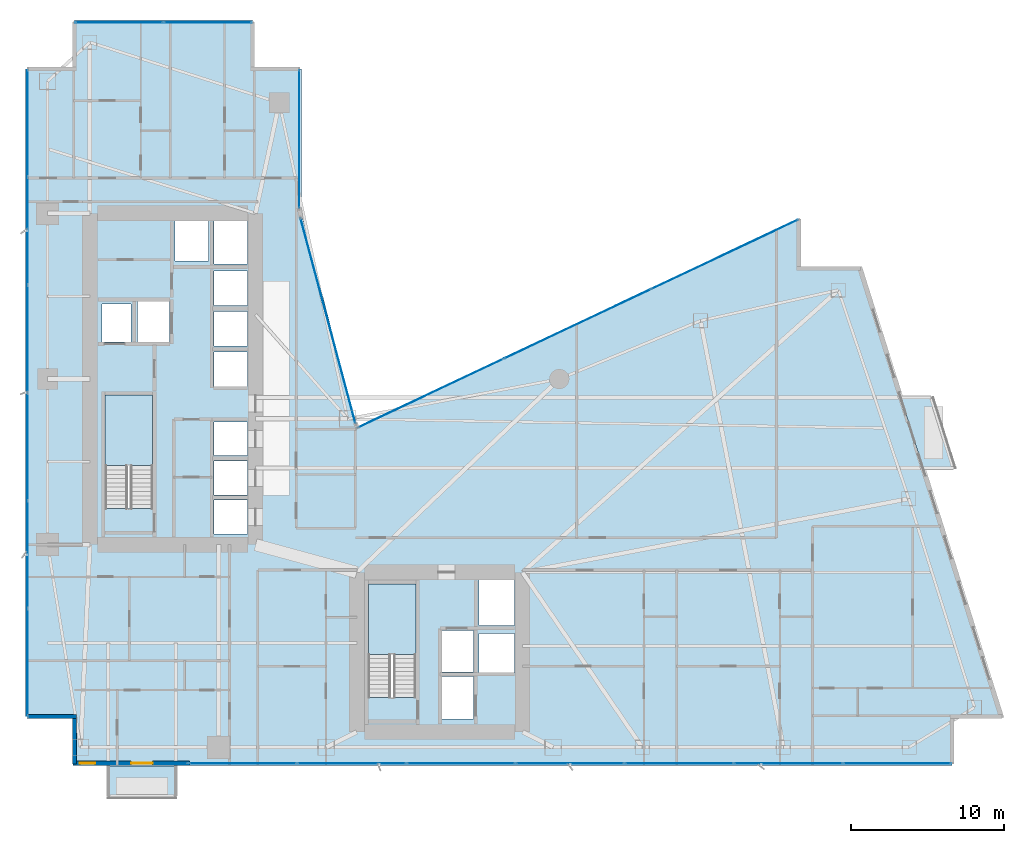
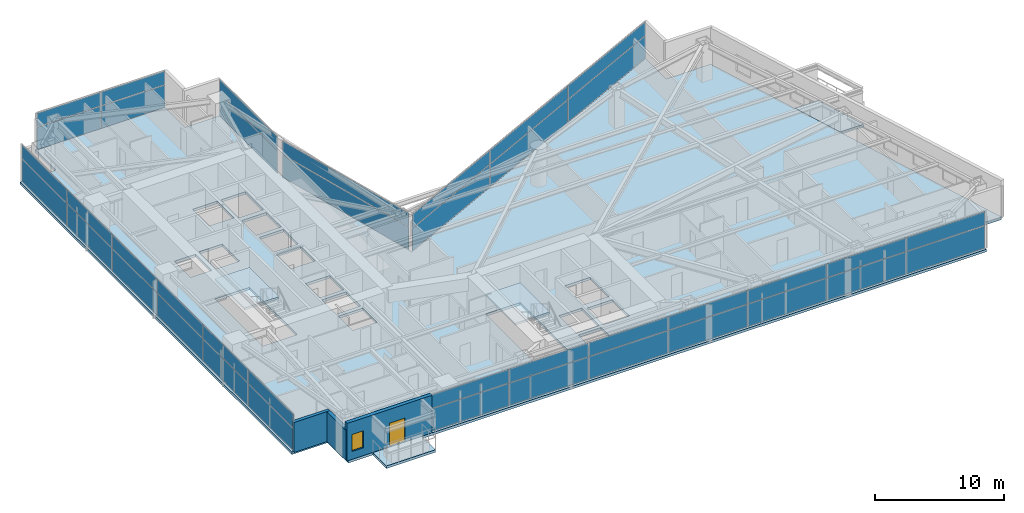
# One storey, part 21 of 29: 40 plates, 5 slabs, 3 walls, 1 door, 1 window, 2 openings, 8 elements without a shape of their own.
"""IFC4 building model written with IfcOpenShell, lengths in metres."""

from ifc_helpers import new_model, si_unit, direction, frame, frame_2d, origin, origin_2d, place, context, subcontext, project, spatial, polyline, rectangle, outline, extrude, material, layer, layer_set, type_object, element, fill, aggregate, save


model = new_model("IFC4")

# Units and contexts
model_context = context("Model", 3, precision=1e-05, world=origin(), true_north=direction((0.0, 1.0)))
body_context = subcontext(model_context, "Body", "Model", "MODEL_VIEW")
ifc_project = project(units=[si_unit("LENGTHUNIT", "METRE"), si_unit("AREAUNIT", "SQUARE_METRE"), si_unit("VOLUMEUNIT", "CUBIC_METRE"), si_unit("PLANEANGLEUNIT", "RADIAN"), si_unit("MASSUNIT", "GRAM", prefix="KILO")], contexts=[model_context])

# Site, building, storey
site_placement = place(None, origin())
site = spatial("IfcSite", under=ifc_project, at=site_placement, CompositionType="ELEMENT")
building_placement = place(site_placement, origin())
building = spatial("IfcBuilding", under=site, at=building_placement, Name="Calvorn Quay Hotel", CompositionType="ELEMENT")
storey_placement = place(building_placement, frame((0.0, 0.0, 66.0)))
storey = spatial("IfcBuildingStorey", under=building, at=storey_placement, Name="L15", CompositionType="ELEMENT", Elevation=66.0)

# Curtain wall, plates
ifc_material_1 = material(Name="Pale Anodised Aluminium and Low-E Glass", Category="aluminium")
ifc_layer_1 = layer(ifc_material_1, 0.219970703125)
ifc_layer_set_1 = layer_set([ifc_layer_1], Name="CW-SYS-Z1")
curtain_wall_type = type_object("IfcCurtainWallType", Name="CW-SYS-Z1", PredefinedType="NOTDEFINED", material=ifc_layer_set_1)
curtain_wall_1_placement = place(storey_placement, origin())
curtain_wall_1 = element("IfcCurtainWall", 1, at=curtain_wall_1_placement, inside=storey, type_object=curtain_wall_type, Name="Tower West Curtain Wall (L15)", PredefinedType="NOTDEFINED")
ifc_material_2 = material(Name="Low-E Laminated Double Glazing", Category="glass")
ifc_layer_2 = layer(ifc_material_2, 0.028076171875)
ifc_layer_set_2 = layer_set([ifc_layer_2], Name="CW-SYS-Z1-PAN")
plate_type = type_object("IfcPlateType", Name="CW-SYS-Z1-PAN", PredefinedType="CURTAIN_PANEL", material=ifc_layer_set_2)
plate_1_placement = place(storey_placement, frame((0.14990234375, 9.131591796875, 0.06005859375), z_axis=(0.0, 0.0, 1.0), x_axis=(0.0, 1.0, 0.0)))
plate_1 = element("IfcPlate", 2, at=plate_1_placement, type_object=plate_type, Name="CW-L15-W panel 1.1", PredefinedType="CURTAIN_PANEL", context=body_context, shape_type="SweptSolid", body=[
    extrude(rectangle(XDim=6.943359375, YDim=0.028076171875, at=origin_2d()), origin(), (0.0, 0.0, 1.0), 2.110107421875),
])
plate_2_placement = place(storey_placement, frame((0.14990234375, 9.131591796875, 2.22998046875), z_axis=(0.0, 0.0, 1.0), x_axis=(0.0, 1.0, 0.0)))
plate_2 = element("IfcPlate", 3, at=plate_2_placement, type_object=plate_type, Name="CW-L15-W panel 1.2", PredefinedType="CURTAIN_PANEL", context=body_context, shape_type="SweptSolid", body=[
    extrude(rectangle(XDim=6.943359375, YDim=0.028076171875, at=origin_2d()), origin(), (0.0, 0.0, 1.0), 1.27001953125),
])
plate_3_placement = place(storey_placement, frame((0.14990234375, 16.14990234375, 0.06005859375), z_axis=(0.0, 0.0, 1.0), x_axis=(0.0, 1.0, 0.0)))
plate_3 = element("IfcPlate", 4, at=plate_3_placement, type_object=plate_type, Name="CW-L15-W panel 2.1", PredefinedType="CURTAIN_PANEL", context=body_context, shape_type="SweptSolid", body=[
    extrude(rectangle(XDim=6.973388671875, YDim=0.028076171875, at=origin_2d()), origin(), (0.0, 0.0, 1.0), 2.110107421875),
])
plate_4_placement = place(storey_placement, frame((0.14990234375, 16.14990234375, 2.22998046875), z_axis=(0.0, 0.0, 1.0), x_axis=(0.0, 1.0, 0.0)))
plate_4 = element("IfcPlate", 5, at=plate_4_placement, type_object=plate_type, Name="CW-L15-W panel 2.2", PredefinedType="CURTAIN_PANEL", context=body_context, shape_type="SweptSolid", body=[
    extrude(rectangle(XDim=6.973388671875, YDim=0.028076171875, at=origin_2d()), origin(), (0.0, 0.0, 1.0), 1.27001953125),
])
plate_5_placement = place(storey_placement, frame((0.14990234375, 23.183349609375, 0.06005859375), z_axis=(0.0, 0.0, 1.0), x_axis=(0.0, 1.0, 0.0)))
plate_5 = element("IfcPlate", 6, at=plate_5_placement, type_object=plate_type, Name="CW-L15-W panel 3.1", PredefinedType="CURTAIN_PANEL", context=body_context, shape_type="SweptSolid", body=[
    extrude(rectangle(XDim=6.973388671875, YDim=0.028076171875, at=origin_2d()), origin(), (0.0, 0.0, 1.0), 2.110107421875),
])
plate_6_placement = place(storey_placement, frame((0.14990234375, 23.183349609375, 2.22998046875), z_axis=(0.0, 0.0, 1.0), x_axis=(0.0, 1.0, 0.0)))
plate_6 = element("IfcPlate", 7, at=plate_6_placement, type_object=plate_type, Name="CW-L15-W panel 3.2", PredefinedType="CURTAIN_PANEL", context=body_context, shape_type="SweptSolid", body=[
    extrude(rectangle(XDim=6.973388671875, YDim=0.028076171875, at=origin_2d()), origin(), (0.0, 0.0, 1.0), 1.27001953125),
])
plate_7_placement = place(storey_placement, frame((0.14990234375, 30.216552734375, 0.06005859375), z_axis=(0.0, 0.0, 1.0), x_axis=(0.0, 1.0, 0.0)))
plate_7 = element("IfcPlate", 8, at=plate_7_placement, type_object=plate_type, Name="CW-L15-W panel 4.1", PredefinedType="CURTAIN_PANEL", context=body_context, shape_type="SweptSolid", body=[
    extrude(rectangle(XDim=6.973388671875, YDim=0.028076171875, at=origin_2d()), origin(), (0.0, 0.0, 1.0), 2.110107421875),
])
plate_8_placement = place(storey_placement, frame((0.14990234375, 30.216552734375, 2.22998046875), z_axis=(0.0, 0.0, 1.0), x_axis=(0.0, 1.0, 0.0)))
plate_8 = element("IfcPlate", 9, at=plate_8_placement, type_object=plate_type, Name="CW-L15-W panel 4.2", PredefinedType="CURTAIN_PANEL", context=body_context, shape_type="SweptSolid", body=[
    extrude(rectangle(XDim=6.973388671875, YDim=0.028076171875, at=origin_2d()), origin(), (0.0, 0.0, 1.0), 1.27001953125),
])
plate_9_placement = place(storey_placement, frame((0.14990234375, 37.25, 0.06005859375), z_axis=(0.0, 0.0, 1.0), x_axis=(0.0, 1.0, 0.0)))
plate_9 = element("IfcPlate", 10, at=plate_9_placement, type_object=plate_type, Name="CW-L15-W panel 5.1", PredefinedType="CURTAIN_PANEL", context=body_context, shape_type="SweptSolid", body=[
    extrude(rectangle(XDim=6.973388671875, YDim=0.028076171875, at=origin_2d()), origin(), (0.0, 0.0, 1.0), 2.110107421875),
])
plate_10_placement = place(storey_placement, frame((0.14990234375, 37.25, 2.22998046875), z_axis=(0.0, 0.0, 1.0), x_axis=(0.0, 1.0, 0.0)))
plate_10 = element("IfcPlate", 11, at=plate_10_placement, type_object=plate_type, Name="CW-L15-W panel 5.2", PredefinedType="CURTAIN_PANEL", context=body_context, shape_type="SweptSolid", body=[
    extrude(rectangle(XDim=6.973388671875, YDim=0.028076171875, at=origin_2d()), origin(), (0.0, 0.0, 1.0), 1.27001953125),
])
plate_11_placement = place(storey_placement, frame((0.14990234375, 44.268310546875, 0.06005859375), z_axis=(0.0, 0.0, 1.0), x_axis=(0.0, 1.0, 0.0)))
plate_11 = element("IfcPlate", 12, at=plate_11_placement, type_object=plate_type, Name="CW-L15-W panel 6.1", PredefinedType="CURTAIN_PANEL", context=body_context, shape_type="SweptSolid", body=[
    extrude(rectangle(XDim=6.943359375, YDim=0.028076171875, at=origin_2d()), origin(), (0.0, 0.0, 1.0), 2.110107421875),
])
plate_12_placement = place(storey_placement, frame((0.14990234375, 44.268310546875, 2.22998046875), z_axis=(0.0, 0.0, 1.0), x_axis=(0.0, 1.0, 0.0)))
plate_12 = element("IfcPlate", 13, at=plate_12_placement, type_object=plate_type, Name="CW-L15-W panel 6.2", PredefinedType="CURTAIN_PANEL", context=body_context, shape_type="SweptSolid", body=[
    extrude(rectangle(XDim=6.943359375, YDim=0.028076171875, at=origin_2d()), origin(), (0.0, 0.0, 1.0), 1.27001953125),
])
aggregate(curtain_wall_1, [plate_1, plate_2, plate_3, plate_4, plate_5, plate_6, plate_7, plate_8, plate_9, plate_10, plate_11, plate_12])

curtain_wall_2_placement = place(storey_placement, origin())
curtain_wall_2 = element("IfcCurtainWall", 14, at=curtain_wall_2_placement, inside=storey, type_object=curtain_wall_type, Name="Tower South Waterfront Curtain Wall (L15)", PredefinedType="NOTDEFINED")
plate_13_placement = place(storey_placement, frame((14.172119140625, 2.550048828125, 0.06005859375), z_axis=(0.0, 0.0, 1.0), x_axis=(1.0, 0.0, 0.0)))
plate_13 = element("IfcPlate", 15, at=plate_13_placement, type_object=plate_type, Name="CW-L15-S panel 1.1", PredefinedType="CURTAIN_PANEL", context=body_context, shape_type="SweptSolid", body=[
    extrude(rectangle(XDim=7.024169921875, YDim=0.028076171875, at=origin_2d()), origin(), (0.0, 0.0, 1.0), 2.110107421875),
])
plate_14_placement = place(storey_placement, frame((14.172119140625, 2.550048828125, 2.22998046875), z_axis=(0.0, 0.0, 1.0), x_axis=(1.0, 0.0, 0.0)))
plate_14 = element("IfcPlate", 16, at=plate_14_placement, type_object=plate_type, Name="CW-L15-S panel 1.2", PredefinedType="CURTAIN_PANEL", context=body_context, shape_type="SweptSolid", body=[
    extrude(rectangle(XDim=7.024169921875, YDim=0.028076171875, at=origin_2d()), origin(), (0.0, 0.0, 1.0), 1.27001953125),
])
plate_15_placement = place(storey_placement, frame((21.271484375, 2.550048828125, 0.06005859375), z_axis=(0.0, 0.0, 1.0), x_axis=(1.0, 0.0, 0.0)))
plate_15 = element("IfcPlate", 17, at=plate_15_placement, type_object=plate_type, Name="CW-L15-S panel 2.1", PredefinedType="CURTAIN_PANEL", context=body_context, shape_type="SweptSolid", body=[
    extrude(rectangle(XDim=7.05419921875, YDim=0.028076171875, at=origin_2d()), origin(), (0.0, 0.0, 1.0), 2.110107421875),
])
plate_16_placement = place(storey_placement, frame((21.271484375, 2.550048828125, 2.22998046875), z_axis=(0.0, 0.0, 1.0), x_axis=(1.0, 0.0, 0.0)))
plate_16 = element("IfcPlate", 18, at=plate_16_placement, type_object=plate_type, Name="CW-L15-S panel 2.2", PredefinedType="CURTAIN_PANEL", context=body_context, shape_type="SweptSolid", body=[
    extrude(rectangle(XDim=7.05419921875, YDim=0.028076171875, at=origin_2d()), origin(), (0.0, 0.0, 1.0), 1.27001953125),
])
plate_17_placement = place(storey_placement, frame((28.3857421875, 2.550048828125, 0.06005859375), z_axis=(0.0, 0.0, 1.0), x_axis=(1.0, 0.0, 0.0)))
plate_17 = element("IfcPlate", 19, at=plate_17_placement, type_object=plate_type, Name="CW-L15-S panel 3.1", PredefinedType="CURTAIN_PANEL", context=body_context, shape_type="SweptSolid", body=[
    extrude(rectangle(XDim=7.05419921875, YDim=0.028076171875, at=origin_2d()), origin(), (0.0, 0.0, 1.0), 2.110107421875),
])
plate_18_placement = place(storey_placement, frame((28.3857421875, 2.550048828125, 2.22998046875), z_axis=(0.0, 0.0, 1.0), x_axis=(1.0, 0.0, 0.0)))
plate_18 = element("IfcPlate", 20, at=plate_18_placement, type_object=plate_type, Name="CW-L15-S panel 3.2", PredefinedType="CURTAIN_PANEL", context=body_context, shape_type="SweptSolid", body=[
    extrude(rectangle(XDim=7.05419921875, YDim=0.028076171875, at=origin_2d()), origin(), (0.0, 0.0, 1.0), 1.27001953125),
])
plate_19_placement = place(storey_placement, frame((35.5, 2.550048828125, 0.06005859375), z_axis=(0.0, 0.0, 1.0), x_axis=(1.0, 0.0, 0.0)))
plate_19 = element("IfcPlate", 21, at=plate_19_placement, type_object=plate_type, Name="CW-L15-S panel 4.1", PredefinedType="CURTAIN_PANEL", context=body_context, shape_type="SweptSolid", body=[
    extrude(rectangle(XDim=7.05419921875, YDim=0.028076171875, at=origin_2d()), origin(), (0.0, 0.0, 1.0), 2.110107421875),
])
plate_20_placement = place(storey_placement, frame((35.5, 2.550048828125, 2.22998046875), z_axis=(0.0, 0.0, 1.0), x_axis=(1.0, 0.0, 0.0)))
plate_20 = element("IfcPlate", 22, at=plate_20_placement, type_object=plate_type, Name="CW-L15-S panel 4.2", PredefinedType="CURTAIN_PANEL", context=body_context, shape_type="SweptSolid", body=[
    extrude(rectangle(XDim=7.05419921875, YDim=0.028076171875, at=origin_2d()), origin(), (0.0, 0.0, 1.0), 1.27001953125),
])
plate_21_placement = place(storey_placement, frame((42.6142578125, 2.550048828125, 0.06005859375), z_axis=(0.0, 0.0, 1.0), x_axis=(1.0, 0.0, 0.0)))
plate_21 = element("IfcPlate", 23, at=plate_21_placement, type_object=plate_type, Name="CW-L15-S panel 5.1", PredefinedType="CURTAIN_PANEL", context=body_context, shape_type="SweptSolid", body=[
    extrude(rectangle(XDim=7.05419921875, YDim=0.028076171875, at=origin_2d()), origin(), (0.0, 0.0, 1.0), 2.110107421875),
])
plate_22_placement = place(storey_placement, frame((42.6142578125, 2.550048828125, 2.22998046875), z_axis=(0.0, 0.0, 1.0), x_axis=(1.0, 0.0, 0.0)))
plate_22 = element("IfcPlate", 24, at=plate_22_placement, type_object=plate_type, Name="CW-L15-S panel 5.2", PredefinedType="CURTAIN_PANEL", context=body_context, shape_type="SweptSolid", body=[
    extrude(rectangle(XDim=7.05419921875, YDim=0.028076171875, at=origin_2d()), origin(), (0.0, 0.0, 1.0), 1.27001953125),
])
plate_23_placement = place(storey_placement, frame((49.728515625, 2.550048828125, 0.06005859375), z_axis=(0.0, 0.0, 1.0), x_axis=(1.0, 0.0, 0.0)))
plate_23 = element("IfcPlate", 25, at=plate_23_placement, type_object=plate_type, Name="CW-L15-S panel 6.1", PredefinedType="CURTAIN_PANEL", context=body_context, shape_type="SweptSolid", body=[
    extrude(rectangle(XDim=7.05419921875, YDim=0.028076171875, at=origin_2d()), origin(), (0.0, 0.0, 1.0), 2.110107421875),
])
plate_24_placement = place(storey_placement, frame((49.728515625, 2.550048828125, 2.22998046875), z_axis=(0.0, 0.0, 1.0), x_axis=(1.0, 0.0, 0.0)))
plate_24 = element("IfcPlate", 26, at=plate_24_placement, type_object=plate_type, Name="CW-L15-S panel 6.2", PredefinedType="CURTAIN_PANEL", context=body_context, shape_type="SweptSolid", body=[
    extrude(rectangle(XDim=7.05419921875, YDim=0.028076171875, at=origin_2d()), origin(), (0.0, 0.0, 1.0), 1.27001953125),
])
plate_25_placement = place(storey_placement, frame((56.827880859375, 2.550048828125, 0.06005859375), z_axis=(0.0, 0.0, 1.0), x_axis=(1.0, 0.0, 0.0)))
plate_25 = element("IfcPlate", 27, at=plate_25_placement, type_object=plate_type, Name="CW-L15-S panel 7.1", PredefinedType="CURTAIN_PANEL", context=body_context, shape_type="SweptSolid", body=[
    extrude(rectangle(XDim=7.024169921875, YDim=0.028076171875, at=origin_2d()), origin(), (0.0, 0.0, 1.0), 2.110107421875),
])
plate_26_placement = place(storey_placement, frame((56.827880859375, 2.550048828125, 2.22998046875), z_axis=(0.0, 0.0, 1.0), x_axis=(1.0, 0.0, 0.0)))
plate_26 = element("IfcPlate", 28, at=plate_26_placement, type_object=plate_type, Name="CW-L15-S panel 7.2", PredefinedType="CURTAIN_PANEL", context=body_context, shape_type="SweptSolid", body=[
    extrude(rectangle(XDim=7.024169921875, YDim=0.028076171875, at=origin_2d()), origin(), (0.0, 0.0, 1.0), 1.27001953125),
])
aggregate(curtain_wall_2, [plate_13, plate_14, plate_15, plate_16, plate_17, plate_18, plate_19, plate_20, plate_21, plate_22, plate_23, plate_24, plate_25, plate_26])

curtain_wall_3_placement = place(storey_placement, origin())
curtain_wall_3 = element("IfcCurtainWall", 29, at=curtain_wall_3_placement, inside=storey, type_object=curtain_wall_type, Name="Inner Court Curtain Wall L15-NE1", PredefinedType="NOTDEFINED")
plate_27_placement = place(storey_placement, frame((45.58642578125, 35.726806640625, 0.06005859375), z_axis=(0.0, 0.0, 1.0), x_axis=(-0.904248646743, -0.427006305415, 0.0)))
plate_27 = element("IfcPlate", 30, at=plate_27_placement, type_object=plate_type, Name="CW-L15-NE1 panel 1.1", PredefinedType="CURTAIN_PANEL", context=body_context, shape_type="SweptSolid", body=[
    extrude(rectangle(XDim=10.526611328125, YDim=0.028076171875, at=origin_2d()), origin(), (0.0, 0.0, 1.0), 2.110107421875),
])
plate_28_placement = place(storey_placement, frame((45.58642578125, 35.726806640625, 2.22998046875), z_axis=(0.0, 0.0, 1.0), x_axis=(-0.904248646743, -0.427006305415, 0.0)))
plate_28 = element("IfcPlate", 31, at=plate_28_placement, type_object=plate_type, Name="CW-L15-NE1 panel 1.2", PredefinedType="CURTAIN_PANEL", context=body_context, shape_type="SweptSolid", body=[
    extrude(rectangle(XDim=10.526611328125, YDim=0.028076171875, at=origin_2d()), origin(), (0.0, 0.0, 1.0), 1.27001953125),
])
plate_29_placement = place(storey_placement, frame((36.0, 31.199951171875, 0.06005859375), z_axis=(0.0, 0.0, 1.0), x_axis=(-0.904248646743, -0.427006305415, 0.0)))
plate_29 = element("IfcPlate", 32, at=plate_29_placement, type_object=plate_type, Name="CW-L15-NE1 panel 2.1", PredefinedType="CURTAIN_PANEL", context=body_context, shape_type="SweptSolid", body=[
    extrude(rectangle(XDim=10.556640625, YDim=0.028076171875, at=origin_2d()), origin(), (0.0, 0.0, 1.0), 2.110107421875),
])
plate_30_placement = place(storey_placement, frame((36.0, 31.199951171875, 2.22998046875), z_axis=(0.0, 0.0, 1.0), x_axis=(-0.904248646743, -0.427006305415, 0.0)))
plate_30 = element("IfcPlate", 33, at=plate_30_placement, type_object=plate_type, Name="CW-L15-NE1 panel 2.2", PredefinedType="CURTAIN_PANEL", context=body_context, shape_type="SweptSolid", body=[
    extrude(rectangle(XDim=10.556640625, YDim=0.028076171875, at=origin_2d()), origin(), (0.0, 0.0, 1.0), 1.27001953125),
])
plate_31_placement = place(storey_placement, frame((26.41357421875, 26.673095703125, 0.06005859375), z_axis=(0.0, 0.0, 1.0), x_axis=(-0.904248646743, -0.427006305415, 0.0)))
plate_31 = element("IfcPlate", 34, at=plate_31_placement, type_object=plate_type, Name="CW-L15-NE1 panel 3.1", PredefinedType="CURTAIN_PANEL", context=body_context, shape_type="SweptSolid", body=[
    extrude(rectangle(XDim=10.526611328125, YDim=0.028076171875, at=origin_2d()), origin(), (0.0, 0.0, 1.0), 2.110107421875),
])
plate_32_placement = place(storey_placement, frame((26.41357421875, 26.673095703125, 2.22998046875), z_axis=(0.0, 0.0, 1.0), x_axis=(-0.904248646743, -0.427006305415, 0.0)))
plate_32 = element("IfcPlate", 35, at=plate_32_placement, type_object=plate_type, Name="CW-L15-NE1 panel 3.2", PredefinedType="CURTAIN_PANEL", context=body_context, shape_type="SweptSolid", body=[
    extrude(rectangle(XDim=10.526611328125, YDim=0.028076171875, at=origin_2d()), origin(), (0.0, 0.0, 1.0), 1.27001953125),
])
aggregate(curtain_wall_3, [plate_27, plate_28, plate_29, plate_30, plate_31, plate_32])

curtain_wall_4_placement = place(storey_placement, origin())
curtain_wall_4 = element("IfcCurtainWall", 36, at=curtain_wall_4_placement, inside=storey, type_object=curtain_wall_type, Name="Inner Court Curtain Wall L15-IC1", PredefinedType="NOTDEFINED")
plate_33_placement = place(storey_placement, frame((19.72509765625, 31.39990234375, 0.06005859375), z_axis=(0.0, 0.0, 1.0), x_axis=(-0.25877913024, 0.96593652056, 0.0)))
plate_33 = element("IfcPlate", 37, at=plate_33_placement, type_object=plate_type, Name="CW-L15-IC1 panel 1.1", PredefinedType="CURTAIN_PANEL", context=body_context, shape_type="SweptSolid", body=[
    extrude(rectangle(XDim=13.814697265625, YDim=0.028076171875, at=origin_2d()), origin(), (0.0, 0.0, 1.0), 2.110107421875),
])
plate_34_placement = place(storey_placement, frame((19.72509765625, 31.39990234375, 2.22998046875), z_axis=(0.0, 0.0, 1.0), x_axis=(-0.25877913024, 0.96593652056, 0.0)))
plate_34 = element("IfcPlate", 38, at=plate_34_placement, type_object=plate_type, Name="CW-L15-IC1 panel 1.2", PredefinedType="CURTAIN_PANEL", context=body_context, shape_type="SweptSolid", body=[
    extrude(rectangle(XDim=13.814697265625, YDim=0.028076171875, at=origin_2d()), origin(), (0.0, 0.0, 1.0), 1.27001953125),
])
aggregate(curtain_wall_4, [plate_33, plate_34])

curtain_wall_5_placement = place(storey_placement, origin())
curtain_wall_5 = element("IfcCurtainWall", 39, at=curtain_wall_5_placement, inside=storey, type_object=curtain_wall_type, Name="Inner Court Curtain Wall L15-IC2", PredefinedType="NOTDEFINED")
plate_35_placement = place(storey_placement, frame((17.85009765625, 43.239990234375, 0.06005859375), z_axis=(0.0, 0.0, 1.0), x_axis=(0.0, 1.0, 0.0)))
plate_35 = element("IfcPlate", 40, at=plate_35_placement, type_object=plate_type, Name="CW-L15-IC2 panel 1.1", PredefinedType="CURTAIN_PANEL", context=body_context, shape_type="SweptSolid", body=[
    extrude(rectangle(XDim=9.0, YDim=0.028076171875, at=origin_2d()), origin(), (0.0, 0.0, 1.0), 2.110107421875),
])
plate_36_placement = place(storey_placement, frame((17.85009765625, 43.239990234375, 2.22998046875), z_axis=(0.0, 0.0, 1.0), x_axis=(0.0, 1.0, 0.0)))
plate_36 = element("IfcPlate", 41, at=plate_36_placement, type_object=plate_type, Name="CW-L15-IC2 panel 1.2", PredefinedType="CURTAIN_PANEL", context=body_context, shape_type="SweptSolid", body=[
    extrude(rectangle(XDim=9.0, YDim=0.028076171875, at=origin_2d()), origin(), (0.0, 0.0, 1.0), 1.27001953125),
])
aggregate(curtain_wall_5, [plate_35, plate_36])

curtain_wall_6_placement = place(storey_placement, origin())
curtain_wall_6 = element("IfcCurtainWall", 42, at=curtain_wall_6_placement, inside=storey, type_object=curtain_wall_type, Name="Inner Court Curtain Wall L15-N1", PredefinedType="NOTDEFINED")
plate_37_placement = place(storey_placement, frame((11.885009765625, 50.85009765625, 0.06005859375), z_axis=(0.0, 0.0, 1.0), x_axis=(-1.0, 0.0, 0.0)))
plate_37 = element("IfcPlate", 43, at=plate_37_placement, type_object=plate_type, Name="CW-L15-N1 panel 1.1", PredefinedType="CURTAIN_PANEL", context=body_context, shape_type="SweptSolid", body=[
    extrude(rectangle(XDim=5.7099609375, YDim=0.028076171875, at=origin_2d()), origin(), (0.0, 0.0, 1.0), 2.110107421875),
])
plate_38_placement = place(storey_placement, frame((11.885009765625, 50.85009765625, 2.22998046875), z_axis=(0.0, 0.0, 1.0), x_axis=(-1.0, 0.0, 0.0)))
plate_38 = element("IfcPlate", 44, at=plate_38_placement, type_object=plate_type, Name="CW-L15-N1 panel 1.2", PredefinedType="CURTAIN_PANEL", context=body_context, shape_type="SweptSolid", body=[
    extrude(rectangle(XDim=5.7099609375, YDim=0.028076171875, at=origin_2d()), origin(), (0.0, 0.0, 1.0), 1.27001953125),
])
plate_39_placement = place(storey_placement, frame((6.114990234375, 50.85009765625, 0.06005859375), z_axis=(0.0, 0.0, 1.0), x_axis=(-1.0, 0.0, 0.0)))
plate_39 = element("IfcPlate", 45, at=plate_39_placement, type_object=plate_type, Name="CW-L15-N1 panel 2.1", PredefinedType="CURTAIN_PANEL", context=body_context, shape_type="SweptSolid", body=[
    extrude(rectangle(XDim=5.7099609375, YDim=0.028076171875, at=origin_2d()), origin(), (0.0, 0.0, 1.0), 2.110107421875),
])
plate_40_placement = place(storey_placement, frame((6.114990234375, 50.85009765625, 2.22998046875), z_axis=(0.0, 0.0, 1.0), x_axis=(-1.0, 0.0, 0.0)))
plate_40 = element("IfcPlate", 46, at=plate_40_placement, type_object=plate_type, Name="CW-L15-N1 panel 2.2", PredefinedType="CURTAIN_PANEL", context=body_context, shape_type="SweptSolid", body=[
    extrude(rectangle(XDim=5.7099609375, YDim=0.028076171875, at=origin_2d()), origin(), (0.0, 0.0, 1.0), 1.27001953125),
])
aggregate(curtain_wall_6, [plate_37, plate_38, plate_39, plate_40])

# Slabs
ifc_material_3 = material(Name="Concrete C40", Category="concrete")
ifc_layer_3 = layer(ifc_material_3, 0.239990234375)
ifc_layer_set_3 = layer_set([ifc_layer_3], Name="SLB-BALCONY-220")
slab_type_1 = type_object("IfcSlabType", Name="SLB-BALCONY-220", PredefinedType="FLOOR", material=ifc_layer_set_3)
slab_1_placement = place(storey_placement, frame((0.0, 0.0, -0.239990234375)))
element("IfcSlab", 47, at=slab_1_placement, inside=storey, type_object=slab_type_1, Name="Tree Balcony Slab L15-BALC-E", PredefinedType="FLOOR", context=body_context, shape_type="SweptSolid", body=[
    extrude(outline(polyline([(58.506103515625, 21.800048828125), (60.60595703125, 21.800048828125), (59.156982421875, 26.39990234375), (57.056884765625, 26.39990234375), (58.506103515625, 21.800048828125)])), origin(), (0.0, 0.0, 1.0), 0.239990234375),
])
slab_2_placement = place(storey_placement, frame((0.0, 0.0, -0.239990234375)))
element("IfcSlab", 48, at=slab_2_placement, inside=storey, type_object=slab_type_1, Name="Tree Balcony Slab L15-BALC-S", PredefinedType="FLOOR", context=body_context, shape_type="SweptSolid", body=[
    extrude(outline(polyline([(5.39990234375, 0.2900390625), (9.800048828125, 0.2900390625), (9.800048828125, 2.389892578125), (5.39990234375, 2.389892578125), (5.39990234375, 0.2900390625)])), origin(), (0.0, 0.0, 1.0), 0.239990234375),
])

# Stair, slab
ifc_material_4 = material(Name="Concrete C40", Category="concrete")
stair_type = type_object("IfcStairType", Name="STR-CORE-DOGLEG", PredefinedType="HALF_TURN_STAIR", material=ifc_material_4)
stair_1_placement = place(storey_placement, origin())
stair_1 = element("IfcStair", 49, at=stair_1_placement, inside=storey, type_object=stair_type, Name="L15 ST-W", PredefinedType="HALF_TURN_STAIR")
ifc_material_5 = material(Name="Concrete C40", Category="concrete")
ifc_layer_4 = layer(ifc_material_5, 0.199951171875)
ifc_layer_set_4 = layer_set([ifc_layer_4], Name="SLB-STAIR-LANDING-200")
slab_type_2 = type_object("IfcSlabType", Name="SLB-STAIR-LANDING-200", PredefinedType="LANDING", material=ifc_layer_set_4)
slab_3_placement = place(storey_placement, frame((0.0, 0.0, 1.699951171875)))
slab_3 = element("IfcSlab", 50, at=slab_3_placement, type_object=slab_type_2, Name="ST-W landing 1", PredefinedType="LANDING", context=body_context, shape_type="SweptSolid", body=[
    extrude(outline(polyline([(8.300048828125, 21.949951171875), (8.300048828125, 26.550048828125), (5.199951171875, 26.550048828125), (5.199951171875, 21.949951171875), (8.300048828125, 21.949951171875)])), origin(), (0.0, 0.0, 1.0), 0.199951171875),
])
aggregate(stair_1, [slab_3])

stair_2_placement = place(storey_placement, origin())
stair_2 = element("IfcStair", 51, at=stair_2_placement, inside=storey, type_object=stair_type, Name="L15 ST-E", PredefinedType="HALF_TURN_STAIR")
slab_4_placement = place(storey_placement, frame((0.0, 0.0, 1.699951171875)))
slab_4 = element("IfcSlab", 52, at=slab_4_placement, type_object=slab_type_2, Name="ST-E landing 1", PredefinedType="LANDING", context=body_context, shape_type="SweptSolid", body=[
    extrude(outline(polyline([(25.449951171875, 9.64990234375), (25.449951171875, 14.25), (22.35009765625, 14.25), (22.35009765625, 9.64990234375), (25.449951171875, 9.64990234375)])), origin(), (0.0, 0.0, 1.0), 0.199951171875),
])
aggregate(stair_2, [slab_4])

# Slab
ifc_material_6 = material(Name="Concrete C40", Category="concrete")
ifc_layer_5 = layer(ifc_material_6, 0.239990234375)
ifc_layer_set_5 = layer_set([ifc_layer_5], Name="SLB-TOWER-240")
slab_type_3 = type_object("IfcSlabType", Name="SLB-TOWER-240", PredefinedType="FLOOR", material=ifc_layer_set_5)
slab_5_placement = place(storey_placement, frame((0.0, 0.0, -0.239990234375)))
element("IfcSlab", 53, at=slab_5_placement, inside=storey, type_object=slab_type_3, Name="L15 Structural Floor Slab", PredefinedType="FLOOR", context=body_context, shape_type="SweptSolid", body=[
    extrude(outline(polyline([(0.0, 5.60009765625), (3.199951171875, 5.60009765625), (3.199951171875, 2.39990234375), (60.39990234375, 2.39990234375), (60.39990234375, 5.60009765625), (63.60009765625, 5.60009765625), (54.39990234375, 34.800048828125), (50.39990234375, 34.800048828125), (50.39990234375, 38.0), (21.60009765625, 24.39990234375), (18.0, 38.39990234375), (18.0, 47.800048828125), (14.800048828125, 47.800048828125), (14.800048828125, 51.0), (3.199951171875, 51.0), (3.199951171875, 47.800048828125), (0.0, 47.800048828125), (0.0, 5.60009765625)]), holes=[polyline([(5.199951171875, 19.156005859375), (8.300048828125, 19.156005859375), (8.300048828125, 26.550048828125), (5.199951171875, 26.550048828125), (5.199951171875, 19.156005859375)]), polyline([(22.35009765625, 6.85595703125), (25.449951171875, 6.85595703125), (25.449951171875, 14.25), (22.35009765625, 14.25), (22.35009765625, 6.85595703125)]), polyline([(5.0, 30.0), (6.89990234375, 30.0), (6.89990234375, 32.5), (5.0, 32.5), (5.0, 30.0)]), polyline([(7.300048828125, 30.0), (9.39990234375, 30.0), (9.39990234375, 32.64990234375), (7.300048828125, 32.64990234375), (7.300048828125, 30.0)]), polyline([(27.159912109375, 8.5), (29.2099609375, 8.5), (29.2099609375, 11.199951171875), (27.159912109375, 11.199951171875), (27.159912109375, 8.5)]), polyline([(27.159912109375, 5.449951171875), (29.2099609375, 5.449951171875), (29.2099609375, 8.199951171875), (27.159912109375, 8.199951171875), (27.159912109375, 5.449951171875)]), polyline([(12.300048828125, 17.5), (14.489990234375, 17.5), (14.489990234375, 19.699951171875), (12.300048828125, 19.699951171875), (12.300048828125, 17.5)]), polyline([(12.300048828125, 20.050048828125), (14.489990234375, 20.050048828125), (14.489990234375, 22.25), (12.300048828125, 22.25), (12.300048828125, 20.050048828125)]), polyline([(12.300048828125, 22.60009765625), (14.489990234375, 22.60009765625), (14.489990234375, 24.800048828125), (12.300048828125, 24.800048828125), (12.300048828125, 22.60009765625)]), polyline([(12.300048828125, 27.10009765625), (14.489990234375, 27.10009765625), (14.489990234375, 29.35009765625), (12.300048828125, 29.35009765625), (12.300048828125, 27.10009765625)]), polyline([(12.300048828125, 29.75), (14.489990234375, 29.75), (14.489990234375, 32.0), (12.300048828125, 32.0), (12.300048828125, 29.75)]), polyline([(12.300048828125, 32.39990234375), (14.489990234375, 32.39990234375), (14.489990234375, 34.64990234375), (12.300048828125, 34.64990234375), (12.300048828125, 32.39990234375)]), polyline([(12.300048828125, 35.10009765625), (14.489990234375, 35.10009765625), (14.489990234375, 37.889892578125), (12.300048828125, 37.889892578125), (12.300048828125, 35.10009765625)]), polyline([(9.75, 35.300048828125), (11.949951171875, 35.300048828125), (11.949951171875, 37.889892578125), (9.75, 37.889892578125), (9.75, 35.300048828125)]), polyline([(29.550048828125, 11.550048828125), (31.889892578125, 11.550048828125), (31.889892578125, 14.489990234375), (29.550048828125, 14.489990234375), (29.550048828125, 11.550048828125)]), polyline([(29.550048828125, 8.449951171875), (31.889892578125, 8.449951171875), (31.889892578125, 11.0), (29.550048828125, 11.0), (29.550048828125, 8.449951171875)])]), origin(), (0.0, 0.0, 1.0), 0.239990234375),
])

# Wall, openings, door, window
ifc_material_7 = material(Name="Concrete C40", Category="concrete")
ifc_layer_6 = layer(ifc_material_7, 0.320068359375)
ifc_layer_set_6 = layer_set([ifc_layer_6], Name="WL-EXT-SPANDREL-320")
wall_type = type_object("IfcWallType", Name="WL-EXT-SPANDREL-320", PredefinedType="SOLIDWALL", material=ifc_layer_set_6)
wall_1_placement = place(storey_placement, frame((3.10009765625, 2.56005859375, 0.0), z_axis=(0.0, 0.0, 1.0), x_axis=(1.0, 0.0, 0.0)))
wall_1 = element("IfcWall", 54, at=wall_1_placement, inside=storey, type_object=wall_type, Name="South Balcony Exterior Wall (L15)", PredefinedType="SOLIDWALL", context=body_context, shape_type="SweptSolid", body=[
    extrude(rectangle(XDim=7.599853515625, YDim=0.320068359375, at=frame_2d((3.7998046875, 0.0))), origin(), (0.0, 0.0, 1.0), 3.56005859375),
])
opening_1_placement = place(wall_1_placement, frame((0.449951171875, 0.0, 0.75)))
opening_1 = element("IfcOpeningElement", 55, at=opening_1_placement, cuts=wall_1, Name="Opening WSB-L15-1", PredefinedType="OPENING", context=body_context, shape_type="SweptSolid", body=[
    extrude(rectangle(XDim=1.0, YDim=1.60009765625, at=frame_2d((0.5, 0.800048828125))), frame((0.0, 0.169921875, 0.0), z_axis=(0.0, -1.0, 0.0), x_axis=(1.0, 0.0, 0.0)), (0.0, 0.0, 1.0), 0.340087890625),
])
opening_2_placement = place(wall_1_placement, frame((3.800048828125, 0.0, 0.0)))
opening_2 = element("IfcOpeningElement", 56, at=opening_2_placement, cuts=wall_1, Name="Opening DB-L15-2", PredefinedType="OPENING", context=body_context, shape_type="SweptSolid", body=[
    extrude(rectangle(XDim=1.39990234375, YDim=2.25, at=frame_2d((0.699951171875, 1.125))), frame((0.0, 0.169921875, 0.0), z_axis=(0.0, -1.0, 0.0), x_axis=(1.0, 0.0, 0.0)), (0.0, 0.0, 1.0), 0.340087890625),
])
ifc_material_8 = material(Name="Typhoon-Rated Low-E Aluminium Terrace Door", Category="aluminium")
door_type = type_object("IfcDoorType", Name="DR-BALCONY-GLZ-1400", OperationType="NOTDEFINED", PredefinedType="DOOR", material=ifc_material_8)
door_placement = place(opening_2_placement, origin())
door = element("IfcDoor", 57, at=door_placement, inside=storey, type_object=door_type, Name="Tree Balcony Terrace Door L15-BALC-S", OperationType="SINGLE_SWING_LEFT", OverallHeight=2.25, OverallWidth=1.39990234375, PredefinedType="DOOR", context=body_context, shape_type="SweptSolid", body=[
    extrude(rectangle(XDim=1.39990234375, YDim=2.25, at=frame_2d((0.699951171875, 1.125))), frame((0.0, 0.02490234375, 0.0), z_axis=(0.0, -1.0, 0.0), x_axis=(1.0, 0.0, 0.0)), (0.0, 0.0, 1.0), 0.050048828125),
])
fill(opening_2, door)
ifc_material_9 = material(Name="Self-Closing Class B Side Fire Window")
window_type = type_object("IfcWindowType", Name="WIN-REFUGE-NARROW-1000x1600", PartitioningType="SINGLE_PANEL", PredefinedType="WINDOW", material=ifc_material_9)
window_placement = place(opening_1_placement, origin())
window = element("IfcWindow", 58, at=window_placement, inside=storey, type_object=window_type, Name="South Waterfront Side Window (L15)", OverallHeight=1.60009765625, OverallWidth=1.0, PartitioningType="SINGLE_PANEL", PredefinedType="WINDOW", context=body_context, shape_type="SweptSolid", body=[
    extrude(rectangle(XDim=1.0, YDim=1.60009765625, at=frame_2d((0.5, 0.800048828125))), frame((0.0, 0.030029296875, 0.0), z_axis=(0.0, -1.0, 0.0), x_axis=(1.0, 0.0, 0.0)), (0.0, 0.0, 1.0), 0.06005859375),
])
fill(opening_1, window)

# Walls
wall_2_placement = place(storey_placement, frame((0.1201171875, 5.60009765625, 0.0), z_axis=(0.0, 0.0, 1.0), x_axis=(1.0, 0.0, 0.0)))
element("IfcWall", 59, at=wall_2_placement, inside=storey, type_object=wall_type, Name="Notched Corner Spandrel L15-SW1", PredefinedType="SOLIDWALL", context=body_context, shape_type="SweptSolid", body=[
    extrude(rectangle(XDim=3.219970703125, YDim=0.280029296875, at=frame_2d((1.60986328125, 0.0))), origin(), (0.0, 0.0, 1.0), 2.840087890625),
])
wall_3_placement = place(storey_placement, frame((3.199951171875, 5.4599609375, 0.0), z_axis=(0.0, 0.0, 1.0), x_axis=(0.0, -1.0, 0.0)))
element("IfcWall", 60, at=wall_3_placement, inside=storey, type_object=wall_type, Name="Notched Corner Spandrel L15-SW2", PredefinedType="SOLIDWALL", context=body_context, shape_type="SweptSolid", body=[
    extrude(rectangle(XDim=2.93994140625, YDim=0.280029296875, at=frame_2d((1.469970703125, 0.0))), origin(), (0.0, 0.0, 1.0), 2.840087890625),
])

save(model, "model.ifc")
